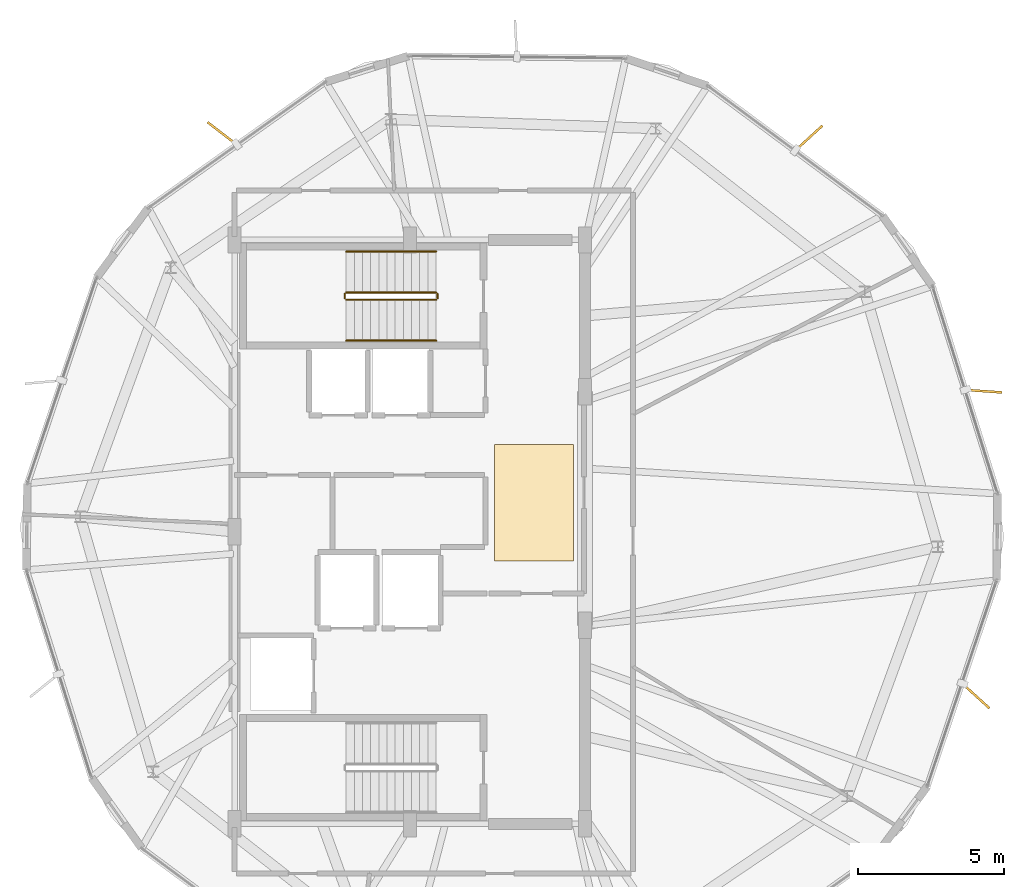
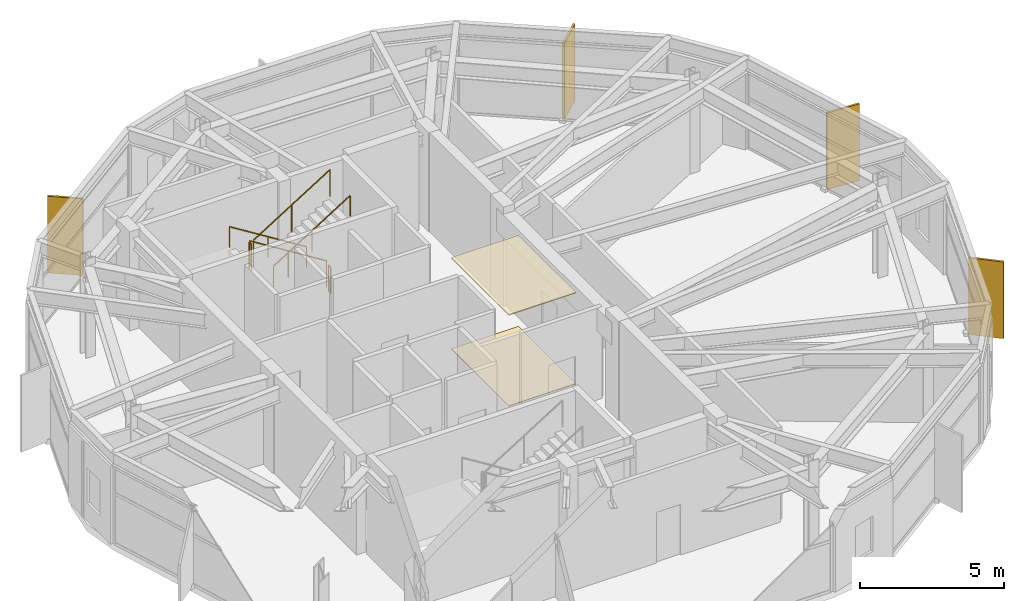
# One storey, part 18 of 19: 6 railings, 4 shading devices, 2 coverings.
"""IFC4 building model written with IfcOpenShell, lengths in metres."""

import ifcopenshell
import ifcopenshell.guid

model = None  # the IFC model being written
_history = None  # IfcOwnerHistory: only IFC2X3 demands one
_inside = {}  # id of a spatial element -> (the spatial element, [elements in it])
_under = {}  # id of a project, library or spatial element -> (it, [spatial elements below it])
_declared = {}  # id of a project -> (the project, [libraries it declares])
_typed = {}  # id of a type object -> (the type object, [elements of that type])
_made_of = {}  # id of a material, layer set ... -> (it, [elements and type objects made of it])


def new_model(schema):
    """Start an empty IFC model of exactly this schema.

    Asked for "IFC4X3", IfcOpenShell would pick the latest addendum, in which some entities
    have other attributes; the version numbers below select the first issue.
    IFC2X3 requires an IfcOwnerHistory on every rooted entity: one is made here for all.
    """
    global model, _history
    if schema == "IFC4X3":
        model = ifcopenshell.file(schema_version=(4, 3, 0, 0))
    else:
        model = ifcopenshell.file(schema=schema)
    _inside.clear()
    _under.clear()
    _declared.clear()
    _typed.clear()
    _made_of.clear()
    _history = None
    if model.schema == "IFC2X3":
        org = make("IfcOrganization", Name="unknown")
        user = make(
            "IfcPersonAndOrganization",
            ThePerson=make("IfcPerson", FamilyName="unknown"),
            TheOrganization=org,
        )
        app = make(
            "IfcApplication",
            ApplicationDeveloper=org,
            Version="unknown",
            ApplicationFullName="unknown",
            ApplicationIdentifier="unknown",
        )
        _history = make(
            "IfcOwnerHistory",
            OwningUser=user,
            OwningApplication=app,
            ChangeAction="ADDED",
            CreationDate=0,
        )
    return model


def make(cls, **values):
    """One entity of the class cls with the attributes given. An attribute that is None is left unset."""
    return model.create_entity(
        cls, **{name: value for name, value in values.items() if value is not None}
    )


def rooted(cls, **values):
    """An entity with a GlobalId (a new one), such as an element, a storey or a relation."""
    return make(cls, GlobalId=ifcopenshell.guid.new(), OwnerHistory=_history, **values)


def si_unit(unit_type, name, prefix=None):
    """IfcSIUnit, for example si_unit("LENGTHUNIT", "METRE", prefix="MILLI")."""
    return make("IfcSIUnit", UnitType=unit_type, Prefix=prefix, Name=name)


def assignment(units):
    """IfcUnitAssignment: the units of a project."""
    return None if units is None else make("IfcUnitAssignment", Units=units)


def point(xyz):
    """IfcCartesianPoint."""
    return None if xyz is None else make("IfcCartesianPoint", Coordinates=xyz)


def direction(xyz):
    """IfcDirection."""
    return None if xyz is None else make("IfcDirection", DirectionRatios=xyz)


def frame(location, z_axis=None, x_axis=None):
    """IfcAxis2Placement3D, a coordinate frame: its origin and axes. An axis left out is left unset."""
    return make(
        "IfcAxis2Placement3D",
        Location=point(location),
        Axis=direction(z_axis),
        RefDirection=direction(x_axis),
    )


def frame_2d(location, x_axis=None):
    """IfcAxis2Placement2D, a coordinate frame in the plane: its origin and x axis."""
    return make(
        "IfcAxis2Placement2D", Location=point(location), RefDirection=direction(x_axis)
    )


def origin():
    """The frame at (0, 0, 0) with its axes left unset."""
    return frame((0.0, 0.0, 0.0))


def origin_2d():
    """The frame at (0, 0) in the plane with its x axis left unset."""
    return frame_2d((0.0, 0.0))


def place(relative_to, where):
    """IfcLocalPlacement: puts the frame where relative to a parent placement (None: the world)."""
    return make(
        "IfcLocalPlacement", PlacementRelTo=relative_to, RelativePlacement=where
    )


def context(
    kind, dimensions, precision=None, world=None, true_north=None, identifier=None
):
    """IfcGeometricRepresentationContext, for example the 3D "Model" context."""
    return make(
        "IfcGeometricRepresentationContext",
        ContextIdentifier=identifier,
        ContextType=kind,
        CoordinateSpaceDimension=dimensions,
        Precision=precision,
        WorldCoordinateSystem=world,
        TrueNorth=true_north,
    )


def subcontext(parent, identifier, kind, view, scale=None):
    """IfcGeometricRepresentationSubContext, for example "Body" below "Model"."""
    return make(
        "IfcGeometricRepresentationSubContext",
        ContextIdentifier=identifier,
        ContextType=kind,
        ParentContext=parent,
        TargetScale=scale,
        TargetView=view,
    )


def project(units=None, contexts=None):
    """IfcProject with its units and contexts."""
    return rooted(
        "IfcProject",
        Name="project",
        RepresentationContexts=contexts,
        UnitsInContext=assignment(units),
    )


def spatial(cls, under=None, at=None, **own):
    """A site, building, storey or space (cls), placed at a placement, below another one or the project."""
    s = rooted(cls, ObjectPlacement=at, **own)
    if under is not None:
        _under.setdefault(under.id(), (under, []))[1].append(s)
    return s


def polyline(points):
    """IfcPolyline through the points."""
    return make("IfcPolyline", Points=[point(p) for p in points])


def profile(cls, at=None, kind="AREA", **sizes):
    """A parametric profile (cls). Its sizes go by their IFC names, for example OverallWidth=200.0."""
    return make(cls, ProfileType=kind, Position=at, **sizes)


def rectangle(**sizes):
    """IfcRectangleProfileDef."""
    return profile("IfcRectangleProfileDef", **sizes)


def circle(**sizes):
    """IfcCircleProfileDef."""
    return profile("IfcCircleProfileDef", **sizes)


def outline(outer, holes=None, kind="AREA"):
    """IfcArbitraryClosedProfileDef: a profile drawn as a closed curve; with holes, ...WithVoids."""
    if holes is None:
        return make("IfcArbitraryClosedProfileDef", ProfileType=kind, OuterCurve=outer)
    return make(
        "IfcArbitraryProfileDefWithVoids",
        ProfileType=kind,
        OuterCurve=outer,
        InnerCurves=holes,
    )


def extrude(swept, where, along, depth):
    """IfcExtrudedAreaSolid: the profile swept, set in the frame where, extruded along a direction by depth."""
    return make(
        "IfcExtrudedAreaSolid",
        SweptArea=swept,
        Position=where,
        ExtrudedDirection=direction(along),
        Depth=depth,
    )


def shape(context_of_items, identifier, shape_type, items):
    """IfcShapeRepresentation: the items that make up one representation, for example the "Body"."""
    return make(
        "IfcShapeRepresentation",
        ContextOfItems=context_of_items,
        RepresentationIdentifier=identifier,
        RepresentationType=shape_type,
        Items=items,
    )


def material(Name=None, Category=None):
    """IfcMaterial."""
    return make("IfcMaterial", Name=Name, Category=Category)


def layer(
    of_material, thickness, ventilated=None, Name=None, Category=None, Priority=None
):
    """IfcMaterialLayer: one layer of a wall or slab, of a material (None: an air gap)."""
    return make(
        "IfcMaterialLayer",
        Material=of_material,
        LayerThickness=thickness,
        IsVentilated=ventilated,
        Name=Name,
        Category=Category,
        Priority=Priority,
    )


def layer_set(layers, Name=None):
    """IfcMaterialLayerSet."""
    return make("IfcMaterialLayerSet", MaterialLayers=layers, LayerSetName=Name)


def made_of(thing, what):
    """Note that an element or type object is made of a material, layer set ...; save() writes the relation."""
    if what is not None:
        _made_of.setdefault(what.id(), (what, []))[1].append(thing)
    return thing


def type_object(cls, material=None, **own):
    """A type object (cls), such as IfcWallType, which elements share."""
    return made_of(rooted(cls, **own), material)


def element(
    cls,
    number,
    at=None,
    inside=None,
    cuts=None,
    type_object=None,
    material=None,
    context=None,
    identifier="Body",
    shape_type=None,
    held_by="IfcProductDefinitionShape",
    body=None,
    shapes=None,
    **own,
):
    """One element of the class cls, such as IfcWall. Its Tag is "e" and its number.

    at: its placement. inside: the storey or other place that contains it. cuts: it is an
    opening in that element (IfcRelVoidsElement). A single representation is given by context,
    identifier, shape_type and body (its items); several are given by shapes. held_by: the class
    of the entity that holds the representations. save() writes the other relations.
    """
    e = rooted(cls, Tag="e%d" % number, ObjectPlacement=at, **own)
    if body is not None:
        shapes = [shape(context, identifier, shape_type, body)]
    if shapes is not None:
        e.Representation = make(held_by, Representations=shapes)
    if inside is not None:
        _inside.setdefault(inside.id(), (inside, []))[1].append(e)
    if cuts is not None:
        rooted(
            "IfcRelVoidsElement", RelatingBuildingElement=cuts, RelatedOpeningElement=e
        )
    if type_object is not None:
        _typed.setdefault(type_object.id(), (type_object, []))[1].append(e)
    return made_of(e, material)


def aggregate(whole, parts):
    """IfcRelAggregates: a whole, such as a stair, and the parts it consists of."""
    return rooted("IfcRelAggregates", RelatingObject=whole, RelatedObjects=parts)


def save(model, path):
    """Write the relations noted so far, then the file.

    IfcRelAggregates (storeys below a building ...), IfcRelContainedInSpatialStructure (elements
    in a storey), IfcRelDefinesByType, IfcRelAssociatesMaterial and IfcRelDeclares: one each for
    every whole, place, type object, material and project.
    """
    for whole, parts in _under.values():
        aggregate(whole, parts)
    for where, things in _inside.values():
        rooted(
            "IfcRelContainedInSpatialStructure",
            RelatedElements=things,
            RelatingStructure=where,
        )
    for kind, things in _typed.values():
        rooted("IfcRelDefinesByType", RelatedObjects=things, RelatingType=kind)
    for what, things in _made_of.values():
        rooted("IfcRelAssociatesMaterial", RelatedObjects=things, RelatingMaterial=what)
    for by, libraries in _declared.values():
        rooted("IfcRelDeclares", RelatingContext=by, RelatedDefinitions=libraries)
    model.write(path)


model = new_model("IFC4")

# Units and contexts
model_context = context("Model", 3, precision=1e-05, world=origin(), true_north=direction((0.0, 1.0)))
body_context = subcontext(model_context, "Body", "Model", "MODEL_VIEW")
ifc_project = project(units=[si_unit("LENGTHUNIT", "METRE"), si_unit("AREAUNIT", "SQUARE_METRE"), si_unit("VOLUMEUNIT", "CUBIC_METRE"), si_unit("PLANEANGLEUNIT", "RADIAN"), si_unit("MASSUNIT", "GRAM", prefix="KILO")], contexts=[model_context])

# Site, building, storey
site_placement = place(None, origin())
site = spatial("IfcSite", under=ifc_project, at=site_placement, CompositionType="ELEMENT")
building_placement = place(site_placement, origin())
building = spatial("IfcBuilding", under=site, at=building_placement, Name="Soratama Intermodal Tower", CompositionType="ELEMENT")
storey_placement = place(building_placement, frame((0.0, 0.0, 297.25)))
storey = spatial("IfcBuildingStorey", under=building, at=storey_placement, Name="L75", CompositionType="ELEMENT", Elevation=297.25)

# Coverings
ifc_material_1 = material(Name="Perforated mineral acoustic ceiling", Category="concrete")
ifc_layer_1 = layer(ifc_material_1, 0.0400390625)
ifc_layer_set_1 = layer_set([ifc_layer_1], Name="Perforated mineral acoustic ceiling")
covering_type_1 = type_object("IfcCoveringType", Name="CV-CEIL-ACOUSTIC", PredefinedType="CEILING", material=ifc_layer_set_1)
covering_1_placement = place(storey_placement, frame((0.0, 0.0, 3.85498046875)))
element("IfcCovering", 1, at=covering_1_placement, inside=storey, type_object=covering_type_1, Name="L75 Acoustic Ceiling", PredefinedType="CEILING", context=body_context, shape_type="SweptSolid", body=[
    extrude(outline(polyline([(41.5, 24.0), (44.199951171875, 24.0), (44.199951171875, 28.0), (41.5, 28.0), (41.5, 24.0)])), origin(), (0.0, 0.0, 1.0), 0.0400390625),
])
ifc_material_2 = material(Name="Polished Andean stone terrazzo flooring", Category="masonry")
ifc_layer_2 = layer(ifc_material_2, 0.030029296875)
ifc_layer_set_2 = layer_set([ifc_layer_2], Name="Polished Andean stone terrazzo flooring")
covering_type_2 = type_object("IfcCoveringType", Name="CV-FLOR-TERRAZZO", PredefinedType="FLOORING", material=ifc_layer_set_2)
covering_2_placement = place(storey_placement, origin())
element("IfcCovering", 2, at=covering_2_placement, inside=storey, type_object=covering_type_2, Name="L75 Lobby Terrazzo Flooring", PredefinedType="FLOORING", context=body_context, shape_type="SweptSolid", body=[
    extrude(outline(polyline([(41.5, 24.0), (44.199951171875, 24.0), (44.199951171875, 28.0), (41.5, 28.0), (41.5, 24.0)])), origin(), (0.0, 0.0, 1.0), 0.030029296875),
])

# Railings
ifc_material_3 = material(Name="Painted steel stair guardrail", Category="steel")
railing_type_1 = type_object("IfcRailingType", Name="RL-STAIR-GUARD", PredefinedType="GUARDRAIL", material=ifc_material_3)
railing_1_placement = place(storey_placement, frame((39.5, 33.199951171875, 0.175048828125)))
element("IfcRailing", 3, at=railing_1_placement, inside=storey, type_object=railing_type_1, Name="L75 ST-2 stair guard 1", PredefinedType="GUARDRAIL", context=body_context, shape_type="SweptSolid", body=[
    extrude(circle(Radius=0.02392578125, at=origin_2d()), frame((0.0, 0.0, 1.1259765625), z_axis=(-0.847998304005, 0.0, 0.529998940003), x_axis=(0.0, -1.0, 0.0)), (0.0, 0.0, 1.0), 3.632080078125),
    extrude(circle(Radius=0.02099609375, at=origin_2d()), origin(), (0.0, 0.0, 1.0), 1.101806640625),
    extrude(circle(Radius=0.02099609375, at=origin_2d()), frame((-1.5400390625, 0.0, 0.96240234375)), (0.0, 0.0, 1.0), 1.101806640625),
    extrude(circle(Radius=0.02099609375, at=origin_2d()), frame((-3.080078125, 0.0, 1.925048828125)), (0.0, 0.0, 1.0), 1.101806640625),
])
railing_2_placement = place(storey_placement, frame((36.3701171875, 33.14990234375, 2.10009765625)))
element("IfcRailing", 4, at=railing_2_placement, inside=storey, type_object=railing_type_1, Name="L75 ST-2 stair guard 2", PredefinedType="GUARDRAIL", context=body_context, shape_type="SweptSolid", body=[
    extrude(circle(Radius=0.02392578125, at=origin_2d()), frame((0.0, 0.0, 1.1259765625), z_axis=(0.0, -1.0, 0.0), x_axis=(1.0, 0.0, 0.0)), (0.0, 0.0, 1.0), 0.14990234375),
    extrude(circle(Radius=0.02099609375, at=origin_2d()), origin(), (0.0, 0.0, 1.0), 1.101806640625),
    extrude(circle(Radius=0.02099609375, at=origin_2d()), frame((0.0, -0.14990234375, 0.0)), (0.0, 0.0, 1.0), 1.101806640625),
])
railing_3_placement = place(storey_placement, frame((36.419921875, 32.949951171875, 2.27490234375)))
element("IfcRailing", 5, at=railing_3_placement, inside=storey, type_object=railing_type_1, Name="L75 ST-2 stair guard 3", PredefinedType="GUARDRAIL", context=body_context, shape_type="SweptSolid", body=[
    extrude(circle(Radius=0.02392578125, at=origin_2d()), frame((0.0, 0.0, 1.1259765625), z_axis=(0.847998304005, 0.0, 0.529998940003), x_axis=(0.0, 1.0, 0.0)), (0.0, 0.0, 1.0), 3.632080078125),
    extrude(circle(Radius=0.02099609375, at=origin_2d()), origin(), (0.0, 0.0, 1.0), 1.101806640625),
    extrude(circle(Radius=0.02099609375, at=origin_2d()), frame((1.5400390625, 0.0, 0.96240234375)), (0.0, 0.0, 1.0), 1.101806640625),
    extrude(circle(Radius=0.02099609375, at=origin_2d()), frame((3.080078125, 0.0, 1.925048828125)), (0.0, 0.0, 1.0), 1.101806640625),
])
railing_4_placement = place(storey_placement, frame((39.550048828125, 33.14990234375, 0.0)))
element("IfcRailing", 6, at=railing_4_placement, inside=storey, type_object=railing_type_1, Name="L75 ST-2 stair guard 4", PredefinedType="GUARDRAIL", context=body_context, shape_type="SweptSolid", body=[
    extrude(circle(Radius=0.02392578125, at=origin_2d()), frame((0.0, 0.0, 1.1259765625), z_axis=(0.0, -1.0, 0.0), x_axis=(1.0, 0.0, 0.0)), (0.0, 0.0, 1.0), 0.14990234375),
    extrude(circle(Radius=0.02099609375, at=origin_2d()), origin(), (0.0, 0.0, 1.0), 1.101806640625),
    extrude(circle(Radius=0.02099609375, at=origin_2d()), frame((0.0, -0.14990234375, 0.0)), (0.0, 0.0, 1.0), 1.101806640625),
])
ifc_material_4 = material(Name="Brushed stainless steel handrail", Category="steel")
railing_type_2 = type_object("IfcRailingType", Name="RL-STAIR-HAND", PredefinedType="HANDRAIL", material=ifc_material_4)
railing_5_placement = place(storey_placement, frame((39.5, 34.60009765625, 0.175048828125)))
element("IfcRailing", 7, at=railing_5_placement, inside=storey, type_object=railing_type_2, Name="L75 ST-2 stair handrail 1", PredefinedType="HANDRAIL", context=body_context, shape_type="SweptSolid", body=[
    extrude(circle(Radius=0.02392578125, at=origin_2d()), frame((0.0, 0.0, 0.8759765625), z_axis=(-0.847998304005, 0.0, 0.529998940003), x_axis=(0.0, -1.0, 0.0)), (0.0, 0.0, 1.0), 3.632080078125),
    extrude(circle(Radius=0.02099609375, at=origin_2d()), origin(), (0.0, 0.0, 1.0), 0.851806640625),
    extrude(circle(Radius=0.02099609375, at=origin_2d()), frame((-1.5400390625, 0.0, 0.96240234375)), (0.0, 0.0, 1.0), 0.851806640625),
    extrude(circle(Radius=0.02099609375, at=origin_2d()), frame((-3.080078125, 0.0, 1.925048828125)), (0.0, 0.0, 1.0), 0.851806640625),
])
railing_6_placement = place(storey_placement, frame((36.419921875, 31.550048828125, 2.27490234375)))
element("IfcRailing", 8, at=railing_6_placement, inside=storey, type_object=railing_type_2, Name="L75 ST-2 stair handrail 2", PredefinedType="HANDRAIL", context=body_context, shape_type="SweptSolid", body=[
    extrude(circle(Radius=0.02392578125, at=origin_2d()), frame((0.0, 0.0, 0.8759765625), z_axis=(0.847998304005, 0.0, 0.529998940003), x_axis=(0.0, 1.0, 0.0)), (0.0, 0.0, 1.0), 3.632080078125),
    extrude(circle(Radius=0.02099609375, at=origin_2d()), origin(), (0.0, 0.0, 1.0), 0.851806640625),
    extrude(circle(Radius=0.02099609375, at=origin_2d()), frame((1.5400390625, 0.0, 0.96240234375)), (0.0, 0.0, 1.0), 0.851806640625),
    extrude(circle(Radius=0.02099609375, at=origin_2d()), frame((3.080078125, 0.0, 1.925048828125)), (0.0, 0.0, 1.0), 0.851806640625),
])

# Shading devices
ifc_material_5 = material(Name="Champagne anodised aluminium solar fin", Category="aluminium")
ifc_layer_3 = layer(ifc_material_5, 0.080078125)
ifc_layer_set_3 = layer_set([ifc_layer_3], Name="Champagne anodised aluminium solar fin")
shading_device_type = type_object("IfcShadingDeviceType", Name="SH-FIN-1250", PredefinedType="USERDEFINED", material=ifc_layer_set_3)
for number, where, z_axis, x_axis, name in (
    (9, (32.168212890625, 38.650390625, 0.02001953125), (0.0, 0.0, 1.0), (-0.791970063504, 0.610559922132, 0.0), "L75 Solar Fin F02-1"),
    (10, (57.99072265625, 19.378662109375, 0.02001953125), (0.0, 0.0, 1.0), (0.739631094979, -0.67301251351, 0.0), "L75 Solar Fin F08-1"),
    (11, (58.26220703125, 29.818603515625, 0.02001953125), (0.0, 0.0, 1.0), (0.997588339087, -0.069408253958, 0.0), "L75 Solar Fin F09-1"),
    (12, (52.27197265625, 38.4921875, 0.02001953125), (0.0, 0.0, 1.0), (0.73727733681, 0.675590207616, 0.0), "L75 Solar Fin F10-1"),
):
    element("IfcShadingDevice", number, at=place(storey_placement, frame(where, z_axis=z_axis, x_axis=x_axis)), inside=storey, type_object=shading_device_type, Name=name, ObjectType="FIN", PredefinedType="USERDEFINED", context=body_context, shape_type="SweptSolid", body=[
        extrude(rectangle(XDim=1.25, YDim=0.080078125, at=origin_2d()), origin(), (0.0, 0.0, 1.0), 3.25390625),
    ])

save(model, "model.ifc")
